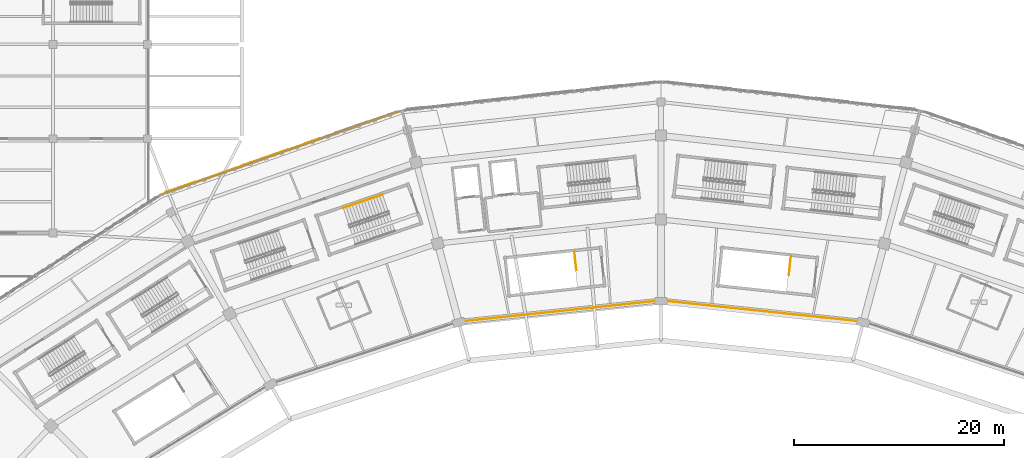
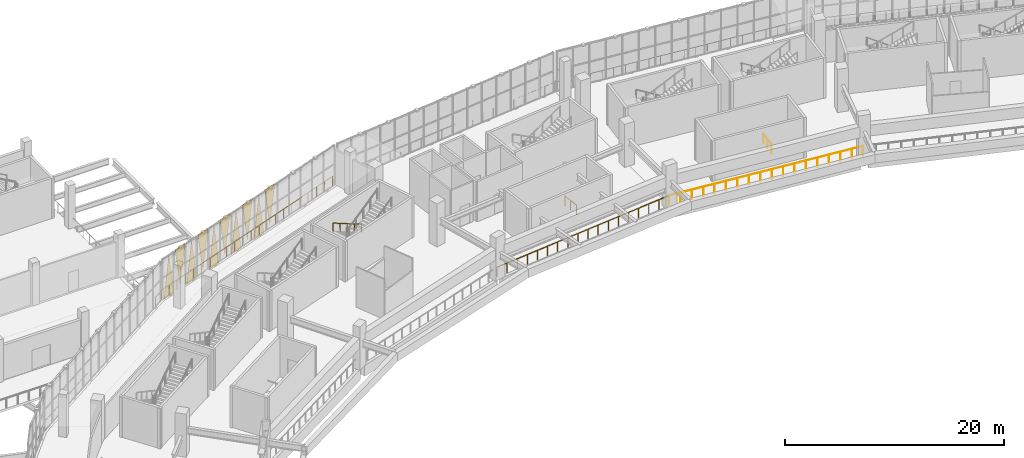
# One storey, part 166 of 179: 10 coverings, 6 railings.
"""IFC4 building model written with IfcOpenShell, lengths in metres."""

from ifc_helpers import new_model, si_unit, direction, frame, origin, origin_2d, place, context, subcontext, project, spatial, polyline, circle, outline, extrude, material, layer, layer_set, type_object, element, save


model = new_model("IFC4")

# Units and contexts
model_context = context("Model", 3, precision=1e-05, world=origin(), true_north=direction((0.0, 1.0)))
body_context = subcontext(model_context, "Body", "Model", "MODEL_VIEW")
ifc_project = project(units=[si_unit("LENGTHUNIT", "METRE"), si_unit("AREAUNIT", "SQUARE_METRE"), si_unit("VOLUMEUNIT", "CUBIC_METRE"), si_unit("PLANEANGLEUNIT", "RADIAN"), si_unit("MASSUNIT", "GRAM", prefix="KILO")], contexts=[model_context])

# Site, building, storey
site_placement = place(None, origin())
site = spatial("IfcSite", under=ifc_project, at=site_placement, CompositionType="ELEMENT")
building_placement = place(site_placement, origin())
building = spatial("IfcBuilding", under=site, at=building_placement, Name="Zevraka Park Crest Stadium", CompositionType="ELEMENT")
storey_placement = place(building_placement, frame((0.0, 0.0, 10.199951171875)))
storey = spatial("IfcBuildingStorey", under=building, at=storey_placement, Name="L02", CompositionType="ELEMENT", Elevation=10.199951171875)

# Coverings
ifc_material_1 = material(Name="Architectural golden-bronze perforated aluminium", Category="aluminium")
ifc_layer = layer(ifc_material_1, 0.034912109375)
ifc_layer_set = layer_set([ifc_layer], Name="Architectural golden-bronze perforated aluminium")
covering_type = type_object("IfcCoveringType", Name="CLD01", PredefinedType="CLADDING", material=ifc_layer_set)
covering_1_placement = place(storey_placement, frame((78.06005859375, 166.537109375, 4.47998046875), z_axis=(0.329785968145, -0.944055726705, 9.449996e-06), x_axis=(0.944055726748, 0.32978596816, 0.0)))
element("IfcCovering", 1, at=covering_1_placement, inside=storey, type_object=covering_type, Name="Triangular Golden-Bronze Perforated Cladding L02-07-6", PredefinedType="CLADDING", context=body_context, shape_type="SweptSolid", body=[
    extrude(outline(polyline([(0.0, 0.0), (1.4065704192587192, -8.470329472543003e-22), (0.7034004508069411, -4.260009765815215), (0.0, 0.0)])), origin(), (0.0, 0.0, -1.0), 0.034912109375),
])
covering_2_placement = place(storey_placement, frame((77.908935546875, 166.48388671875, -0.239990234375), z_axis=(-0.329166977201, 0.944271724154, 0.000109922205), x_axis=(-0.944271729859, -0.32916697919, 0.0)))
element("IfcCovering", 2, at=covering_2_placement, inside=storey, type_object=covering_type, Name="Triangular Golden-Bronze Perforated Cladding L02-07-7", PredefinedType="CLADDING", context=body_context, shape_type="SweptSolid", body=[
    extrude(outline(polyline([(0.0, 0.0), (1.4062486648553232, -6.776263578034403e-21), (0.7031697909465703, 4.560058621299347), (0.0, 0.0)])), origin(), (0.0, 0.0, -1.0), 0.034912109375),
])
covering_3_placement = place(storey_placement, frame((75.10302734375, 165.50390625, 4.47998046875), z_axis=(0.330157015229, -0.943926027232, 2.0255002e-05), x_axis=(0.943926027425, 0.330157015296, 0.0)))
element("IfcCovering", 3, at=covering_3_placement, inside=storey, type_object=covering_type, Name="Triangular Golden-Bronze Perforated Cladding L02-07-8", PredefinedType="CLADDING", context=body_context, shape_type="SweptSolid", body=[
    extrude(outline(polyline([(0.0, 0.0), (1.405729112581542, 0.0), (0.7034809853865257, -4.260009766498866), (0.0, 0.0)])), origin(), (0.0, 0.0, -1.0), 0.034912109375),
])
covering_4_placement = place(storey_placement, frame((74.951904296875, 165.450927734375, -0.239990234375), z_axis=(0.329166977788, -0.944271725837, 9.2298959e-05), x_axis=(-0.944271729859, -0.32916697919, 0.0)))
element("IfcCovering", 4, at=covering_4_placement, inside=storey, type_object=covering_type, Name="Triangular Golden-Bronze Perforated Cladding L02-07-9", PredefinedType="CLADDING", context=body_context, shape_type="SweptSolid", body=[
    extrude(outline(polyline([(0.0, 0.0), (1.4062486648553232, 0.0), (0.7028483388184553, -4.560058613173793), (0.0, 0.0)])), origin(), (0.0, 0.0, -1.0), 0.034912109375),
])
covering_5_placement = place(storey_placement, frame((72.14501953125, 164.470947265625, 4.47998046875), z_axis=(0.329940648786, -0.944001677406, 3.6504737e-05), x_axis=(0.944001678035, 0.329940649006, 0.0)))
element("IfcCovering", 5, at=covering_5_placement, inside=storey, type_object=covering_type, Name="Triangular Golden-Bronze Perforated Cladding L02-07-10", PredefinedType="CLADDING", context=body_context, shape_type="SweptSolid", body=[
    extrude(outline(polyline([(0.0, 0.0), (1.4066509522935817, -3.3881317890172014e-21), (0.7034004347684985, -4.260009768463436), (0.0, 0.0)])), origin(), (0.0, 0.0, -1.0), 0.034912109375),
])
covering_6_placement = place(storey_placement, frame((71.993896484375, 164.4189453125, -0.239990234375), z_axis=(-0.329785968147, 0.944055726711, 8.828193e-06), x_axis=(-0.944055726748, -0.32978596816, 0.0)))
element("IfcCovering", 6, at=covering_6_placement, inside=storey, type_object=covering_type, Name="Triangular Golden-Bronze Perforated Cladding L02-07-11", PredefinedType="CLADDING", context=body_context, shape_type="SweptSolid", body=[
    extrude(outline(polyline([(0.0, 0.0), (1.4065704192587192, 0.0), (0.7031699684517781, 4.560058593927699), (0.0, 0.0)])), origin(), (0.0, 0.0, -1.0), 0.034912109375),
])
covering_7_placement = place(storey_placement, frame((69.18701171875, 163.43896484375, 4.47998046875), z_axis=(-0.32932176541, 0.944217755437, 7.1732807e-05), x_axis=(0.944217757866, 0.329321766257, 0.0)))
element("IfcCovering", 7, at=covering_7_placement, inside=storey, type_object=covering_type, Name="Triangular Golden-Bronze Perforated Cladding L02-07-12", PredefinedType="CLADDING", context=body_context, shape_type="SweptSolid", body=[
    extrude(outline(polyline([(0.0, 0.0), (1.4063290467827976, 0.0), (0.7034003855809297, 4.260009776585144), (0.0, 0.0)])), origin(), (0.0, 0.0, -1.0), 0.034912109375),
])
covering_8_placement = place(storey_placement, frame((69.035888671875, 163.385986328125, -0.239990234375), z_axis=(-0.329785968147, 0.944055726711, 8.828193e-06), x_axis=(-0.944055726748, -0.32978596816, 0.0)))
element("IfcCovering", 8, at=covering_8_placement, inside=storey, type_object=covering_type, Name="Triangular Golden-Bronze Perforated Cladding L02-07-13", PredefinedType="CLADDING", context=body_context, shape_type="SweptSolid", body=[
    extrude(outline(polyline([(0.0, 0.0), (1.4065704192587192, 0.0), (0.7031699684517781, 4.560058593927699), (0.0, 0.0)])), origin(), (0.0, 0.0, -1.0), 0.034912109375),
])
covering_9_placement = place(storey_placement, frame((66.22900390625, 162.406005859375, 4.47998046875), z_axis=(0.329940648786, -0.944001677406, 3.6504737e-05), x_axis=(0.944001678035, 0.329940649006, 0.0)))
element("IfcCovering", 9, at=covering_9_placement, inside=storey, type_object=covering_type, Name="Triangular Golden-Bronze Perforated Cladding L02-07-14", PredefinedType="CLADDING", context=body_context, shape_type="SweptSolid", body=[
    extrude(outline(polyline([(0.0, 0.0), (1.4066509522935817, -3.3881317890172014e-21), (0.7034004347684985, -4.260009768463436), (0.0, 0.0)])), origin(), (0.0, 0.0, -1.0), 0.034912109375),
])
covering_10_placement = place(storey_placement, frame((66.077880859375, 162.35302734375, -0.239990234375), z_axis=(0.329321763981, -0.944217751341, 0.000117565237), x_axis=(-0.944217757866, -0.329321766257, 0.0)))
element("IfcCovering", 10, at=covering_10_placement, inside=storey, type_object=covering_type, Name="Triangular Golden-Bronze Perforated Cladding L02-07-15", PredefinedType="CLADDING", context=body_context, shape_type="SweptSolid", body=[
    extrude(outline(polyline([(0.0, 0.0), (1.4063290467827976, -6.776263578034403e-21), (0.7028482603800279, -4.560058625263619), (0.0, 0.0)])), origin(), (0.0, 0.0, -1.0), 0.034912109375),
])

# Railings
ifc_material_2 = material(Name="Galvanised and bronze-finished steel balustrade", Category="steel")
railing_type_1 = type_object("IfcRailingType", Name="GR01", PredefinedType="GUARDRAIL", material=ifc_material_2)
railing_1_placement = place(storey_placement, frame((64.281005859375, 161.652099609375, 0.0)))
element("IfcRailing", 11, at=railing_1_placement, inside=storey, type_object=railing_type_1, Name="Deck Edge Protection Guardrail GR01 L02-6", PredefinedType="GUARDRAIL", context=body_context, shape_type="SweptSolid", body=[
    extrude(circle(Radius=0.02392578125, at=origin_2d()), frame((0.0, 0.0, 1.076171875), z_axis=(0.944113337893, 0.329621002385, 0.0), x_axis=(-0.329621002385, 0.944113337893, 0.0)), (0.0, 0.0, 1.0), 24.021484375),
    extrude(circle(Radius=0.02099609375, at=origin_2d()), origin(), (0.0, 0.0, 1.0), 1.052001953125),
    extrude(circle(Radius=0.02099609375, at=origin_2d()), frame((1.079833984375, 0.376953125, 0.0)), (0.0, 0.0, 1.0), 1.052001953125),
    extrude(circle(Radius=0.02099609375, at=origin_2d()), frame((2.159912109375, 0.754150390625, 0.0)), (0.0, 0.0, 1.0), 1.052001953125),
    extrude(circle(Radius=0.02099609375, at=origin_2d()), frame((3.23974609375, 1.131103515625, 0.0)), (0.0, 0.0, 1.0), 1.052001953125),
    extrude(circle(Radius=0.02099609375, at=origin_2d()), frame((4.31982421875, 1.50830078125, 0.0)), (0.0, 0.0, 1.0), 1.052001953125),
    extrude(circle(Radius=0.02099609375, at=origin_2d()), frame((5.399658203125, 1.88525390625, 0.0)), (0.0, 0.0, 1.0), 1.052001953125),
    extrude(circle(Radius=0.02099609375, at=origin_2d()), frame((6.479736328125, 2.26220703125, 0.0)), (0.0, 0.0, 1.0), 1.052001953125),
    extrude(circle(Radius=0.02099609375, at=origin_2d()), frame((7.5595703125, 2.639404296875, 0.0)), (0.0, 0.0, 1.0), 1.052001953125),
    extrude(circle(Radius=0.02099609375, at=origin_2d()), frame((8.6396484375, 3.016357421875, 0.0)), (0.0, 0.0, 1.0), 1.052001953125),
    extrude(circle(Radius=0.02099609375, at=origin_2d()), frame((9.719482421875, 3.393310546875, 0.0)), (0.0, 0.0, 1.0), 1.052001953125),
    extrude(circle(Radius=0.02099609375, at=origin_2d()), frame((10.799560546875, 3.7705078125, 0.0)), (0.0, 0.0, 1.0), 1.052001953125),
    extrude(circle(Radius=0.02099609375, at=origin_2d()), frame((11.87939453125, 4.1474609375, 0.0)), (0.0, 0.0, 1.0), 1.052001953125),
    extrude(circle(Radius=0.02099609375, at=origin_2d()), frame((12.95947265625, 4.524658203125, 0.0)), (0.0, 0.0, 1.0), 1.052001953125),
    extrude(circle(Radius=0.02099609375, at=origin_2d()), frame((14.039306640625, 4.901611328125, 0.0)), (0.0, 0.0, 1.0), 1.052001953125),
    extrude(circle(Radius=0.02099609375, at=origin_2d()), frame((15.119384765625, 5.278564453125, 0.0)), (0.0, 0.0, 1.0), 1.052001953125),
    extrude(circle(Radius=0.02099609375, at=origin_2d()), frame((16.19921875, 5.65576171875, 0.0)), (0.0, 0.0, 1.0), 1.052001953125),
    extrude(circle(Radius=0.02099609375, at=origin_2d()), frame((17.279296875, 6.03271484375, 0.0)), (0.0, 0.0, 1.0), 1.052001953125),
    extrude(circle(Radius=0.02099609375, at=origin_2d()), frame((18.359130859375, 6.40966796875, 0.0)), (0.0, 0.0, 1.0), 1.052001953125),
    extrude(circle(Radius=0.02099609375, at=origin_2d()), frame((19.439208984375, 6.786865234375, 0.0)), (0.0, 0.0, 1.0), 1.052001953125),
    extrude(circle(Radius=0.02099609375, at=origin_2d()), frame((20.51904296875, 7.163818359375, 0.0)), (0.0, 0.0, 1.0), 1.052001953125),
    extrude(circle(Radius=0.02099609375, at=origin_2d()), frame((21.59912109375, 7.541015625, 0.0)), (0.0, 0.0, 1.0), 1.052001953125),
    extrude(circle(Radius=0.02099609375, at=origin_2d()), frame((22.678955078125, 7.91796875, 0.0)), (0.0, 0.0, 1.0), 1.052001953125),
])
railing_2_placement = place(storey_placement, frame((131.282958984375, 149.54296875, 0.0)))
element("IfcRailing", 12, at=railing_2_placement, inside=storey, type_object=railing_type_1, Name="Deck Edge Protection Guardrail GR01 L02-68", PredefinedType="GUARDRAIL", context=body_context, shape_type="SweptSolid", body=[
    extrude(circle(Radius=0.02392578125, at=origin_2d()), frame((0.0, 0.0, 1.076171875), z_axis=(-0.99452206482, 0.104526851026, 0.0), x_axis=(-0.104526851026, -0.99452206482, 0.0)), (0.0, 0.0, 1.0), 19.39306640625),
    extrude(circle(Radius=0.02099609375, at=origin_2d()), origin(), (0.0, 0.0, 1.0), 1.052001953125),
    extrude(circle(Radius=0.02099609375, at=origin_2d()), frame((-1.134521484375, 0.119140625, 0.0)), (0.0, 0.0, 1.0), 1.052001953125),
    extrude(circle(Radius=0.02099609375, at=origin_2d()), frame((-2.26904296875, 0.238525390625, 0.0)), (0.0, 0.0, 1.0), 1.052001953125),
    extrude(circle(Radius=0.02099609375, at=origin_2d()), frame((-3.403564453125, 0.357666015625, 0.0)), (0.0, 0.0, 1.0), 1.052001953125),
    extrude(circle(Radius=0.02099609375, at=origin_2d()), frame((-4.5380859375, 0.47705078125, 0.0)), (0.0, 0.0, 1.0), 1.052001953125),
    extrude(circle(Radius=0.02099609375, at=origin_2d()), frame((-5.672607421875, 0.59619140625, 0.0)), (0.0, 0.0, 1.0), 1.052001953125),
    extrude(circle(Radius=0.02099609375, at=origin_2d()), frame((-6.80712890625, 0.71533203125, 0.0)), (0.0, 0.0, 1.0), 1.052001953125),
    extrude(circle(Radius=0.02099609375, at=origin_2d()), frame((-7.941650390625, 0.834716796875, 0.0)), (0.0, 0.0, 1.0), 1.052001953125),
    extrude(circle(Radius=0.02099609375, at=origin_2d()), frame((-9.076171875, 0.953857421875, 0.0)), (0.0, 0.0, 1.0), 1.052001953125),
    extrude(circle(Radius=0.02099609375, at=origin_2d()), frame((-10.210693359375, 1.0732421875, 0.0)), (0.0, 0.0, 1.0), 1.052001953125),
    extrude(circle(Radius=0.02099609375, at=origin_2d()), frame((-11.34521484375, 1.1923828125, 0.0)), (0.0, 0.0, 1.0), 1.052001953125),
    extrude(circle(Radius=0.02099609375, at=origin_2d()), frame((-12.479736328125, 1.311767578125, 0.0)), (0.0, 0.0, 1.0), 1.052001953125),
    extrude(circle(Radius=0.02099609375, at=origin_2d()), frame((-13.6142578125, 1.430908203125, 0.0)), (0.0, 0.0, 1.0), 1.052001953125),
    extrude(circle(Radius=0.02099609375, at=origin_2d()), frame((-14.748779296875, 1.550048828125, 0.0)), (0.0, 0.0, 1.0), 1.052001953125),
    extrude(circle(Radius=0.02099609375, at=origin_2d()), frame((-15.88330078125, 1.66943359375, 0.0)), (0.0, 0.0, 1.0), 1.052001953125),
    extrude(circle(Radius=0.02099609375, at=origin_2d()), frame((-17.017822265625, 1.78857421875, 0.0)), (0.0, 0.0, 1.0), 1.052001953125),
    extrude(circle(Radius=0.02099609375, at=origin_2d()), frame((-18.15234375, 1.907958984375, 0.0)), (0.0, 0.0, 1.0), 1.052001953125),
    extrude(circle(Radius=0.02099609375, at=origin_2d()), frame((-19.286865234375, 2.027099609375, 0.0)), (0.0, 0.0, 1.0), 1.052001953125),
])
railing_3_placement = place(storey_placement, frame((111.99609375, 151.570068359375, 0.0)))
element("IfcRailing", 13, at=railing_3_placement, inside=storey, type_object=railing_type_1, Name="Deck Edge Protection Guardrail GR01 L02-69", PredefinedType="GUARDRAIL", context=body_context, shape_type="SweptSolid", body=[
    extrude(circle(Radius=0.02392578125, at=origin_2d()), frame((0.0, 0.0, 1.076171875), z_axis=(-0.994518067741, -0.1045648743, 0.0), x_axis=(0.1045648743, -0.994518067741, 0.0)), (0.0, 0.0, 1.0), 19.3955078125),
    extrude(circle(Radius=0.02099609375, at=origin_2d()), origin(), (0.0, 0.0, 1.0), 1.052001953125),
    extrude(circle(Radius=0.02099609375, at=origin_2d()), frame((-1.134765625, -0.119384765625, 0.0)), (0.0, 0.0, 1.0), 1.052001953125),
    extrude(circle(Radius=0.02099609375, at=origin_2d()), frame((-2.269287109375, -0.238525390625, 0.0)), (0.0, 0.0, 1.0), 1.052001953125),
    extrude(circle(Radius=0.02099609375, at=origin_2d()), frame((-3.404052734375, -0.35791015625, 0.0)), (0.0, 0.0, 1.0), 1.052001953125),
    extrude(circle(Radius=0.02099609375, at=origin_2d()), frame((-4.53857421875, -0.477294921875, 0.0)), (0.0, 0.0, 1.0), 1.052001953125),
    extrude(circle(Radius=0.02099609375, at=origin_2d()), frame((-5.67333984375, -0.596435546875, 0.0)), (0.0, 0.0, 1.0), 1.052001953125),
    extrude(circle(Radius=0.02099609375, at=origin_2d()), frame((-6.807861328125, -0.7158203125, 0.0)), (0.0, 0.0, 1.0), 1.052001953125),
    extrude(circle(Radius=0.02099609375, at=origin_2d()), frame((-7.942626953125, -0.835205078125, 0.0)), (0.0, 0.0, 1.0), 1.052001953125),
    extrude(circle(Radius=0.02099609375, at=origin_2d()), frame((-9.0771484375, -0.954345703125, 0.0)), (0.0, 0.0, 1.0), 1.052001953125),
    extrude(circle(Radius=0.02099609375, at=origin_2d()), frame((-10.2119140625, -1.07373046875, 0.0)), (0.0, 0.0, 1.0), 1.052001953125),
    extrude(circle(Radius=0.02099609375, at=origin_2d()), frame((-11.346435546875, -1.19287109375, 0.0)), (0.0, 0.0, 1.0), 1.052001953125),
    extrude(circle(Radius=0.02099609375, at=origin_2d()), frame((-12.481201171875, -1.312255859375, 0.0)), (0.0, 0.0, 1.0), 1.052001953125),
    extrude(circle(Radius=0.02099609375, at=origin_2d()), frame((-13.61572265625, -1.431640625, 0.0)), (0.0, 0.0, 1.0), 1.052001953125),
    extrude(circle(Radius=0.02099609375, at=origin_2d()), frame((-14.75048828125, -1.55078125, 0.0)), (0.0, 0.0, 1.0), 1.052001953125),
    extrude(circle(Radius=0.02099609375, at=origin_2d()), frame((-15.885009765625, -1.670166015625, 0.0)), (0.0, 0.0, 1.0), 1.052001953125),
    extrude(circle(Radius=0.02099609375, at=origin_2d()), frame((-17.019775390625, -1.78955078125, 0.0)), (0.0, 0.0, 1.0), 1.052001953125),
    extrude(circle(Radius=0.02099609375, at=origin_2d()), frame((-18.154296875, -1.90869140625, 0.0)), (0.0, 0.0, 1.0), 1.052001953125),
    extrude(circle(Radius=0.02099609375, at=origin_2d()), frame((-19.2890625, -2.028076171875, 0.0)), (0.0, 0.0, 1.0), 1.052001953125),
])
ifc_material_3 = material(Name="Powder-coated tubular steel stairwell guard", Category="steel")
railing_type_2 = type_object("IfcRailingType", Name="GR03", PredefinedType="GUARDRAIL", material=ifc_material_3)
railing_4_placement = place(storey_placement, frame((124.392578125, 155.821044921875, 0.0)))
element("IfcRailing", 14, at=railing_4_placement, inside=storey, type_object=railing_type_2, Name="L02 ST35 top well guard 1", PredefinedType="GUARDRAIL", context=body_context, shape_type="SweptSolid", body=[
    extrude(circle(Radius=0.02392578125, at=origin_2d()), frame((0.0, 0.0, 1.076171875), z_axis=(-0.105885376891, -0.994378341961, 0.0), x_axis=(0.994378341961, -0.105885376891, 0.0)), (0.0, 0.0, 1.0), 1.81005859375),
    extrude(circle(Radius=0.02099609375, at=origin_2d()), origin(), (0.0, 0.0, 1.0), 1.052001953125),
    extrude(circle(Radius=0.02099609375, at=origin_2d()), frame((-0.095703125, -0.89990234375, 0.0)), (0.0, 0.0, 1.0), 1.052001953125),
    extrude(circle(Radius=0.02099609375, at=origin_2d()), frame((-0.191650390625, -1.7998046875, 0.0)), (0.0, 0.0, 1.0), 1.052001953125),
])
railing_5_placement = place(storey_placement, frame((103.734375, 156.260009765625, 0.0)))
element("IfcRailing", 15, at=railing_5_placement, inside=storey, type_object=railing_type_2, Name="L02 ST36 top well guard 1", PredefinedType="GUARDRAIL", context=body_context, shape_type="SweptSolid", body=[
    extrude(circle(Radius=0.02392578125, at=origin_2d()), frame((0.0, 0.0, 1.076171875), z_axis=(0.105885376891, -0.994378341961, 0.0), x_axis=(0.994378341961, 0.105885376891, 0.0)), (0.0, 0.0, 1.0), 1.81005859375),
    extrude(circle(Radius=0.02099609375, at=origin_2d()), origin(), (0.0, 0.0, 1.0), 1.052001953125),
    extrude(circle(Radius=0.02099609375, at=origin_2d()), frame((0.095703125, -0.89990234375, 0.0)), (0.0, 0.0, 1.0), 1.052001953125),
    extrude(circle(Radius=0.02099609375, at=origin_2d()), frame((0.191650390625, -1.7998046875, 0.0)), (0.0, 0.0, 1.0), 1.052001953125),
])
ifc_material_4 = material(Name="Brushed stainless steel continuous handrail", Category="steel")
railing_type_3 = type_object("IfcRailingType", Name="HR01", PredefinedType="HANDRAIL", material=ifc_material_4)
railing_6_placement = place(storey_placement, frame((85.43310546875, 161.671875, 0.17138671875)))
element("IfcRailing", 16, at=railing_6_placement, inside=storey, type_object=railing_type_3, Name="L02 ST08 stair handrail 1", PredefinedType="HANDRAIL", context=body_context, shape_type="SweptSolid", body=[
    extrude(circle(Radius=0.02392578125, at=origin_2d()), frame((0.0, 0.0, 0.8759765625), z_axis=(-0.824705104737, -0.282433990311, 0.489992378857), x_axis=(0.32399372979, -0.946059228091, 0.0)), (0.0, 0.0, 1.0), 4.548583984375),
    extrude(circle(Radius=0.02099609375, at=origin_2d()), origin(), (0.0, 0.0, 1.0), 0.851806640625),
    extrude(circle(Radius=0.02099609375, at=origin_2d()), frame((-0.937744140625, -0.3212890625, 0.55712890625)), (0.0, 0.0, 1.0), 0.851806640625),
    extrude(circle(Radius=0.02099609375, at=origin_2d()), frame((-1.87548828125, -0.642333984375, 1.1142578125)), (0.0, 0.0, 1.0), 0.851806640625),
    extrude(circle(Radius=0.02099609375, at=origin_2d()), frame((-2.8134765625, -0.96337890625, 1.671630859375)), (0.0, 0.0, 1.0), 0.851806640625),
    extrude(circle(Radius=0.02099609375, at=origin_2d()), frame((-3.751220703125, -1.28466796875, 2.228759765625)), (0.0, 0.0, 1.0), 0.851806640625),
])

save(model, "model.ifc")
